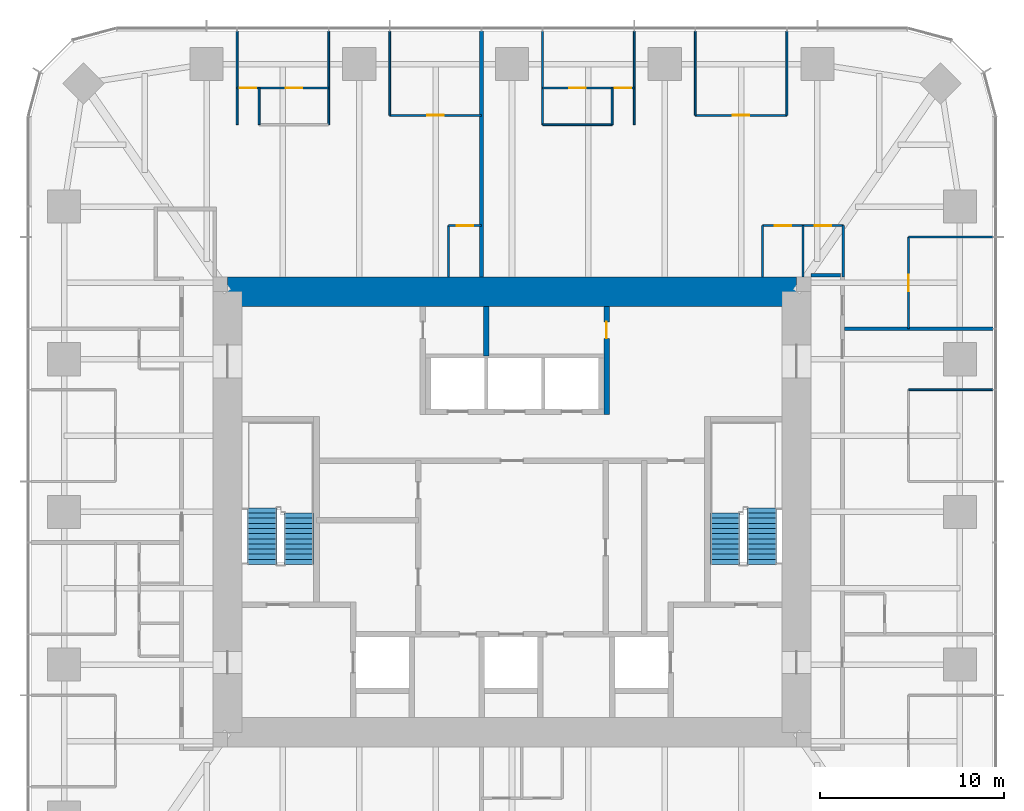
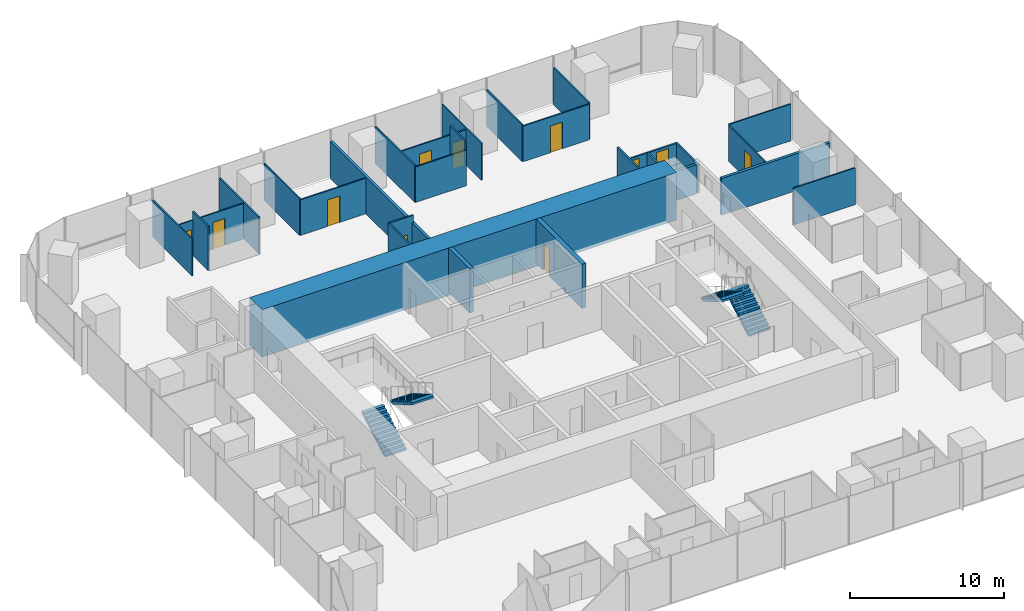
# One storey, part 11 of 12: 29 walls, 11 doors, 4 stair flights, 11 openings, 2 elements without a shape of their own.
"""IFC4 building model written with IfcOpenShell, lengths in metres."""

import ifcopenshell
import ifcopenshell.guid

model = None  # the IFC model being written
_history = None  # IfcOwnerHistory: only IFC2X3 demands one
_inside = {}  # id of a spatial element -> (the spatial element, [elements in it])
_under = {}  # id of a project, library or spatial element -> (it, [spatial elements below it])
_declared = {}  # id of a project -> (the project, [libraries it declares])
_typed = {}  # id of a type object -> (the type object, [elements of that type])
_made_of = {}  # id of a material, layer set ... -> (it, [elements and type objects made of it])


def new_model(schema):
    """Start an empty IFC model of exactly this schema.

    Asked for "IFC4X3", IfcOpenShell would pick the latest addendum, in which some entities
    have other attributes; the version numbers below select the first issue.
    IFC2X3 requires an IfcOwnerHistory on every rooted entity: one is made here for all.
    """
    global model, _history
    if schema == "IFC4X3":
        model = ifcopenshell.file(schema_version=(4, 3, 0, 0))
    else:
        model = ifcopenshell.file(schema=schema)
    _inside.clear()
    _under.clear()
    _declared.clear()
    _typed.clear()
    _made_of.clear()
    _history = None
    if model.schema == "IFC2X3":
        org = make("IfcOrganization", Name="unknown")
        user = make(
            "IfcPersonAndOrganization",
            ThePerson=make("IfcPerson", FamilyName="unknown"),
            TheOrganization=org,
        )
        app = make(
            "IfcApplication",
            ApplicationDeveloper=org,
            Version="unknown",
            ApplicationFullName="unknown",
            ApplicationIdentifier="unknown",
        )
        _history = make(
            "IfcOwnerHistory",
            OwningUser=user,
            OwningApplication=app,
            ChangeAction="ADDED",
            CreationDate=0,
        )
    return model


def make(cls, **values):
    """One entity of the class cls with the attributes given. An attribute that is None is left unset."""
    return model.create_entity(
        cls, **{name: value for name, value in values.items() if value is not None}
    )


def rooted(cls, **values):
    """An entity with a GlobalId (a new one), such as an element, a storey or a relation."""
    return make(cls, GlobalId=ifcopenshell.guid.new(), OwnerHistory=_history, **values)


def si_unit(unit_type, name, prefix=None):
    """IfcSIUnit, for example si_unit("LENGTHUNIT", "METRE", prefix="MILLI")."""
    return make("IfcSIUnit", UnitType=unit_type, Prefix=prefix, Name=name)


def assignment(units):
    """IfcUnitAssignment: the units of a project."""
    return None if units is None else make("IfcUnitAssignment", Units=units)


def point(xyz):
    """IfcCartesianPoint."""
    return None if xyz is None else make("IfcCartesianPoint", Coordinates=xyz)


def direction(xyz):
    """IfcDirection."""
    return None if xyz is None else make("IfcDirection", DirectionRatios=xyz)


def frame(location, z_axis=None, x_axis=None):
    """IfcAxis2Placement3D, a coordinate frame: its origin and axes. An axis left out is left unset."""
    return make(
        "IfcAxis2Placement3D",
        Location=point(location),
        Axis=direction(z_axis),
        RefDirection=direction(x_axis),
    )


def frame_2d(location, x_axis=None):
    """IfcAxis2Placement2D, a coordinate frame in the plane: its origin and x axis."""
    return make(
        "IfcAxis2Placement2D", Location=point(location), RefDirection=direction(x_axis)
    )


def origin():
    """The frame at (0, 0, 0) with its axes left unset."""
    return frame((0.0, 0.0, 0.0))


def place(relative_to, where):
    """IfcLocalPlacement: puts the frame where relative to a parent placement (None: the world)."""
    return make(
        "IfcLocalPlacement", PlacementRelTo=relative_to, RelativePlacement=where
    )


def context(
    kind, dimensions, precision=None, world=None, true_north=None, identifier=None
):
    """IfcGeometricRepresentationContext, for example the 3D "Model" context."""
    return make(
        "IfcGeometricRepresentationContext",
        ContextIdentifier=identifier,
        ContextType=kind,
        CoordinateSpaceDimension=dimensions,
        Precision=precision,
        WorldCoordinateSystem=world,
        TrueNorth=true_north,
    )


def subcontext(parent, identifier, kind, view, scale=None):
    """IfcGeometricRepresentationSubContext, for example "Body" below "Model"."""
    return make(
        "IfcGeometricRepresentationSubContext",
        ContextIdentifier=identifier,
        ContextType=kind,
        ParentContext=parent,
        TargetScale=scale,
        TargetView=view,
    )


def project(units=None, contexts=None):
    """IfcProject with its units and contexts."""
    return rooted(
        "IfcProject",
        Name="project",
        RepresentationContexts=contexts,
        UnitsInContext=assignment(units),
    )


def spatial(cls, under=None, at=None, **own):
    """A site, building, storey or space (cls), placed at a placement, below another one or the project."""
    s = rooted(cls, ObjectPlacement=at, **own)
    if under is not None:
        _under.setdefault(under.id(), (under, []))[1].append(s)
    return s


def polyline(points):
    """IfcPolyline through the points."""
    return make("IfcPolyline", Points=[point(p) for p in points])


def profile(cls, at=None, kind="AREA", **sizes):
    """A parametric profile (cls). Its sizes go by their IFC names, for example OverallWidth=200.0."""
    return make(cls, ProfileType=kind, Position=at, **sizes)


def rectangle(**sizes):
    """IfcRectangleProfileDef."""
    return profile("IfcRectangleProfileDef", **sizes)


def outline(outer, holes=None, kind="AREA"):
    """IfcArbitraryClosedProfileDef: a profile drawn as a closed curve; with holes, ...WithVoids."""
    if holes is None:
        return make("IfcArbitraryClosedProfileDef", ProfileType=kind, OuterCurve=outer)
    return make(
        "IfcArbitraryProfileDefWithVoids",
        ProfileType=kind,
        OuterCurve=outer,
        InnerCurves=holes,
    )


def extrude(swept, where, along, depth):
    """IfcExtrudedAreaSolid: the profile swept, set in the frame where, extruded along a direction by depth."""
    return make(
        "IfcExtrudedAreaSolid",
        SweptArea=swept,
        Position=where,
        ExtrudedDirection=direction(along),
        Depth=depth,
    )


def shape(context_of_items, identifier, shape_type, items):
    """IfcShapeRepresentation: the items that make up one representation, for example the "Body"."""
    return make(
        "IfcShapeRepresentation",
        ContextOfItems=context_of_items,
        RepresentationIdentifier=identifier,
        RepresentationType=shape_type,
        Items=items,
    )


def material(Name=None, Category=None):
    """IfcMaterial."""
    return make("IfcMaterial", Name=Name, Category=Category)


def layer(
    of_material, thickness, ventilated=None, Name=None, Category=None, Priority=None
):
    """IfcMaterialLayer: one layer of a wall or slab, of a material (None: an air gap)."""
    return make(
        "IfcMaterialLayer",
        Material=of_material,
        LayerThickness=thickness,
        IsVentilated=ventilated,
        Name=Name,
        Category=Category,
        Priority=Priority,
    )


def layer_set(layers, Name=None):
    """IfcMaterialLayerSet."""
    return make("IfcMaterialLayerSet", MaterialLayers=layers, LayerSetName=Name)


def made_of(thing, what):
    """Note that an element or type object is made of a material, layer set ...; save() writes the relation."""
    if what is not None:
        _made_of.setdefault(what.id(), (what, []))[1].append(thing)
    return thing


def type_object(cls, material=None, **own):
    """A type object (cls), such as IfcWallType, which elements share."""
    return made_of(rooted(cls, **own), material)


def element(
    cls,
    number,
    at=None,
    inside=None,
    cuts=None,
    type_object=None,
    material=None,
    context=None,
    identifier="Body",
    shape_type=None,
    held_by="IfcProductDefinitionShape",
    body=None,
    shapes=None,
    **own,
):
    """One element of the class cls, such as IfcWall. Its Tag is "e" and its number.

    at: its placement. inside: the storey or other place that contains it. cuts: it is an
    opening in that element (IfcRelVoidsElement). A single representation is given by context,
    identifier, shape_type and body (its items); several are given by shapes. held_by: the class
    of the entity that holds the representations. save() writes the other relations.
    """
    e = rooted(cls, Tag="e%d" % number, ObjectPlacement=at, **own)
    if body is not None:
        shapes = [shape(context, identifier, shape_type, body)]
    if shapes is not None:
        e.Representation = make(held_by, Representations=shapes)
    if inside is not None:
        _inside.setdefault(inside.id(), (inside, []))[1].append(e)
    if cuts is not None:
        rooted(
            "IfcRelVoidsElement", RelatingBuildingElement=cuts, RelatedOpeningElement=e
        )
    if type_object is not None:
        _typed.setdefault(type_object.id(), (type_object, []))[1].append(e)
    return made_of(e, material)


def fill(opening, filler):
    """IfcRelFillsElement: the door or window that sits in an opening."""
    return rooted(
        "IfcRelFillsElement",
        RelatingOpeningElement=opening,
        RelatedBuildingElement=filler,
    )


def aggregate(whole, parts):
    """IfcRelAggregates: a whole, such as a stair, and the parts it consists of."""
    return rooted("IfcRelAggregates", RelatingObject=whole, RelatedObjects=parts)


def save(model, path):
    """Write the relations noted so far, then the file.

    IfcRelAggregates (storeys below a building ...), IfcRelContainedInSpatialStructure (elements
    in a storey), IfcRelDefinesByType, IfcRelAssociatesMaterial and IfcRelDeclares: one each for
    every whole, place, type object, material and project.
    """
    for whole, parts in _under.values():
        aggregate(whole, parts)
    for where, things in _inside.values():
        rooted(
            "IfcRelContainedInSpatialStructure",
            RelatedElements=things,
            RelatingStructure=where,
        )
    for kind, things in _typed.values():
        rooted("IfcRelDefinesByType", RelatedObjects=things, RelatingType=kind)
    for what, things in _made_of.values():
        rooted("IfcRelAssociatesMaterial", RelatedObjects=things, RelatingMaterial=what)
    for by, libraries in _declared.values():
        rooted("IfcRelDeclares", RelatingContext=by, RelatedDefinitions=libraries)
    model.write(path)


model = new_model("IFC4")

# Units and contexts
model_context = context("Model", 3, precision=1e-05, world=origin(), true_north=direction((0.0, 1.0)))
body_context = subcontext(model_context, "Body", "Model", "MODEL_VIEW")
ifc_project = project(units=[si_unit("LENGTHUNIT", "METRE"), si_unit("AREAUNIT", "SQUARE_METRE"), si_unit("VOLUMEUNIT", "CUBIC_METRE"), si_unit("PLANEANGLEUNIT", "RADIAN"), si_unit("MASSUNIT", "GRAM", prefix="KILO")], contexts=[model_context])

# Site, building, storey
site_placement = place(None, origin())
site = spatial("IfcSite", under=ifc_project, at=site_placement, CompositionType="ELEMENT")
building_placement = place(site_placement, origin())
building = spatial("IfcBuilding", under=site, at=building_placement, Name="Khuree Lantern Residences", CompositionType="ELEMENT")
storey_placement = place(building_placement, frame((0.0, 0.0, 218.25)))
storey = spatial("IfcBuildingStorey", under=building, at=storey_placement, Name="L54", CompositionType="ELEMENT", Elevation=218.25)

# Wall, openings, doors
ifc_material_1 = material(Name="Moisture-resistant gypsum board on steel studs", Category="steel")
ifc_layer_1 = layer(ifc_material_1, 0.125)
ifc_layer_set_1 = layer_set([ifc_layer_1], Name="BATHROOM WALL BTW125")
wall_type_1 = type_object("IfcWallType", Name="BATHROOM WALL BTW125", PredefinedType="PARTITIONING", material=ifc_layer_set_1)
wall_1_placement = place(storey_placement, frame((18.050048828125, 15.60009765625, 0.0), z_axis=(0.0, 0.0, 1.0), x_axis=(-1.0, 0.0, 0.0)))
wall_1 = element("IfcWall", 1, at=wall_1_placement, inside=storey, type_object=wall_type_1, Name="L54 BATHROOM WALL 02", PredefinedType="PARTITIONING", context=body_context, shape_type="SweptSolid", body=[
    extrude(rectangle(XDim=4.400146484375, YDim=0.125, at=frame_2d((2.2001953125, 0.0))), origin(), (0.0, 0.0, 1.0), 2.300048828125),
])
opening_1_placement = place(wall_1_placement, frame((0.64990234375, 0.0, 0.0)))
opening_1 = element("IfcOpeningElement", 2, at=opening_1_placement, cuts=wall_1, Name="Opening 54-029", PredefinedType="OPENING", context=body_context, shape_type="SweptSolid", body=[
    extrude(rectangle(XDim=0.89990234375, YDim=2.10009765625, at=frame_2d((0.449951171875, 1.050048828125))), frame((0.0, 0.072509765625, 0.0), z_axis=(0.0, -1.0, 0.0), x_axis=(1.0, 0.0, 0.0)), (0.0, 0.0, 1.0), 0.14501953125),
])
opening_2_placement = place(wall_1_placement, frame((2.85009765625, 0.0, 0.0)))
opening_2 = element("IfcOpeningElement", 3, at=opening_2_placement, cuts=wall_1, Name="Opening 54-030", PredefinedType="OPENING", context=body_context, shape_type="SweptSolid", body=[
    extrude(rectangle(XDim=0.89990234375, YDim=2.10009765625, at=frame_2d((0.449951171875, 1.050048828125))), frame((0.0, 0.072509765625, 0.0), z_axis=(0.0, -1.0, 0.0), x_axis=(1.0, 0.0, 0.0)), (0.0, 0.0, 1.0), 0.14501953125),
])
ifc_material_2 = material(Name="Timber door leaf in hardwood frame", Category="wood")
door_type_1 = type_object("IfcDoorType", Name="BATHROOM DOOR 900X2100", OperationType="SINGLE_SWING_LEFT", PredefinedType="DOOR", material=ifc_material_2)
door_1_placement = place(opening_1_placement, origin())
door_1 = element("IfcDoor", 4, at=door_1_placement, inside=storey, type_object=door_type_1, Name="Bathroom door 54-029", OperationType="SINGLE_SWING_LEFT", OverallHeight=2.10009765625, OverallWidth=0.89990234375, PredefinedType="DOOR", context=body_context, shape_type="SweptSolid", body=[
    extrude(rectangle(XDim=0.89990234375, YDim=2.10009765625, at=frame_2d((0.449951171875, 1.050048828125))), frame((0.0, 0.02490234375, 0.0), z_axis=(0.0, -1.0, 0.0), x_axis=(1.0, 0.0, 0.0)), (0.0, 0.0, 1.0), 0.050048828125),
])
fill(opening_1, door_1)
door_2_placement = place(opening_2_placement, origin())
door_2 = element("IfcDoor", 5, at=door_2_placement, inside=storey, type_object=door_type_1, Name="Bathroom door 54-030", OperationType="SINGLE_SWING_LEFT", OverallHeight=2.10009765625, OverallWidth=0.89990234375, PredefinedType="DOOR", context=body_context, shape_type="SweptSolid", body=[
    extrude(rectangle(XDim=0.89990234375, YDim=2.10009765625, at=frame_2d((0.449951171875, 1.050048828125))), frame((0.0, 0.02490234375, 0.0), z_axis=(0.0, -1.0, 0.0), x_axis=(1.0, 0.0, 0.0)), (0.0, 0.0, 1.0), 0.050048828125),
])
fill(opening_2, door_2)

# Walls
for number, where, z_axis, x_axis, name in (
    (6, (18.050048828125, 12.800048828125, 0.0), (0.0, 0.0, 1.0), (0.0, 1.0, 0.0), "L54 BATHROOM WALL 02"),
    (7, (15.85009765625, 12.800048828125, 0.0), (0.0, 0.0, 1.0), (0.0, 1.0, 0.0), "L54 BATHROOM WALL 02"),
):
    element("IfcWall", number, at=place(storey_placement, frame(where, z_axis=z_axis, x_axis=x_axis)), inside=storey, type_object=wall_type_1, Name=name, PredefinedType="PARTITIONING", context=body_context, shape_type="SweptSolid", body=[
        extrude(rectangle(XDim=2.800048828125, YDim=0.125, at=frame_2d((1.39990234375, 0.0))), origin(), (0.0, 0.0, 1.0), 2.300048828125),
    ])
wall_2_placement = place(storey_placement, frame((13.64990234375, 12.800048828125, 0.0), z_axis=(0.0, 0.0, 1.0), x_axis=(0.0, 1.0, 0.0)))
element("IfcWall", 8, at=wall_2_placement, inside=storey, type_object=wall_type_1, Name="L54 BATHROOM WALL 02", PredefinedType="PARTITIONING", context=body_context, shape_type="SweptSolid", body=[
    extrude(rectangle(XDim=2.800048828125, YDim=0.125, at=frame_2d((1.39990234375, 0.0))), origin(), (0.0, 0.0, 1.0), 3.5),
])

# Wall, opening, door
wall_3_placement = place(storey_placement, frame((-1.6640625, 15.60009765625, 0.0), z_axis=(0.0, 0.0, 1.0), x_axis=(-1.0, 0.0, 0.0)))
wall_3 = element("IfcWall", 9, at=wall_3_placement, inside=storey, type_object=wall_type_1, Name="L54 BATHROOM WALL 03", PredefinedType="PARTITIONING", context=body_context, shape_type="SweptSolid", body=[
    extrude(rectangle(XDim=1.800048828125, YDim=0.125, at=frame_2d((0.89990234375, 0.0))), origin(), (0.0, 0.0, 1.0), 3.5),
])
opening_3_placement = place(wall_3_placement, frame((0.449951171875, 0.0, 0.0)))
opening_3 = element("IfcOpeningElement", 10, at=opening_3_placement, cuts=wall_3, Name="Opening 54-035", PredefinedType="OPENING", context=body_context, shape_type="SweptSolid", body=[
    extrude(rectangle(XDim=0.89990234375, YDim=2.10009765625, at=frame_2d((0.449951171875, 1.050048828125))), frame((0.0, 0.072509765625, 0.0), z_axis=(0.0, -1.0, 0.0), x_axis=(1.0, 0.0, 0.0)), (0.0, 0.0, 1.0), 0.14501953125),
])
door_3_placement = place(opening_3_placement, origin())
door_3 = element("IfcDoor", 11, at=door_3_placement, inside=storey, type_object=door_type_1, Name="Bathroom door 54-035", OperationType="SINGLE_SWING_LEFT", OverallHeight=2.10009765625, OverallWidth=0.89990234375, PredefinedType="DOOR", context=body_context, shape_type="SweptSolid", body=[
    extrude(rectangle(XDim=0.89990234375, YDim=2.10009765625, at=frame_2d((0.449951171875, 1.050048828125))), frame((0.0, 0.02490234375, 0.0), z_axis=(0.0, -1.0, 0.0), x_axis=(1.0, 0.0, 0.0)), (0.0, 0.0, 1.0), 0.050048828125),
])
fill(opening_3, door_3)

# Wall
wall_4_placement = place(storey_placement, frame((-3.464111328125, 12.800048828125, 0.0), z_axis=(0.0, 0.0, 1.0), x_axis=(0.0, 1.0, 0.0)))
element("IfcWall", 12, at=wall_4_placement, inside=storey, type_object=wall_type_1, Name="L54 BATHROOM WALL 03", PredefinedType="PARTITIONING", context=body_context, shape_type="SweptSolid", body=[
    extrude(rectangle(XDim=2.800048828125, YDim=0.125, at=frame_2d((1.39990234375, 0.0))), origin(), (0.0, 0.0, 1.0), 3.5),
])

# Wall, opening, door
ifc_material_3 = material(Name="Dense concrete blockwork", Category="masonry")
ifc_layer_2 = layer(ifc_material_3, 0.300048828125)
ifc_layer_set_2 = layer_set([ifc_layer_2], Name="CORE PARTITION WALL CPW300 EI 120")
wall_type_2 = type_object("IfcWallType", Name="CORE PARTITION WALL CPW300 EI 120", PredefinedType="PARTITIONING", material=ifc_layer_set_2)
wall_5_placement = place(storey_placement, frame((5.14990234375, 5.300048828125, 0.0), z_axis=(0.0, 0.0, 1.0), x_axis=(0.0, 1.0, 0.0)))
wall_5 = element("IfcWall", 13, at=wall_5_placement, inside=storey, type_object=wall_type_2, Name="L54 CORE WALL NE", PredefinedType="PARTITIONING", context=body_context, shape_type="SweptSolid", body=[
    extrude(rectangle(XDim=5.89990234375, YDim=0.300048828125, at=frame_2d((2.949951171875, 0.0))), origin(), (0.0, 0.0, 1.0), 3.5),
])
opening_4_placement = place(wall_5_placement, frame((4.14990234375, 0.0, 0.0)))
opening_4 = element("IfcOpeningElement", 14, at=opening_4_placement, cuts=wall_5, Name="Opening 54-021", PredefinedType="OPENING", context=body_context, shape_type="SweptSolid", body=[
    extrude(rectangle(XDim=0.89990234375, YDim=2.10009765625, at=frame_2d((0.449951171875, 1.050048828125))), frame((0.0, 0.16015625, 0.0), z_axis=(0.0, -1.0, 0.0), x_axis=(1.0, 0.0, 0.0)), (0.0, 0.0, 1.0), 0.320068359375),
])
door_type_2 = type_object("IfcDoorType", Name="DOOR 900X2100", OperationType="SINGLE_SWING_LEFT", PredefinedType="DOOR", material=ifc_material_2)
door_4_placement = place(opening_4_placement, origin())
door_4 = element("IfcDoor", 15, at=door_4_placement, inside=storey, type_object=door_type_2, Name="Bulky waste store door 54-021", OperationType="SINGLE_SWING_LEFT", OverallHeight=2.10009765625, OverallWidth=0.89990234375, PredefinedType="DOOR", context=body_context, shape_type="SweptSolid", body=[
    extrude(rectangle(XDim=0.89990234375, YDim=2.10009765625, at=frame_2d((0.449951171875, 1.050048828125))), frame((0.0, 0.02490234375, 0.0), z_axis=(0.0, -1.0, 0.0), x_axis=(1.0, 0.0, 0.0)), (0.0, 0.0, 1.0), 0.050048828125),
])
fill(opening_4, door_4)

# Walls
wall_6_placement = place(storey_placement, frame((-1.39990234375, 8.5, 0.0), z_axis=(0.0, 0.0, 1.0), x_axis=(0.0, 1.0, 0.0)))
element("IfcWall", 16, at=wall_6_placement, inside=storey, type_object=wall_type_2, Name="L54 CORE WALL NX", PredefinedType="PARTITIONING", context=body_context, shape_type="SweptSolid", body=[
    extrude(rectangle(XDim=2.699951171875, YDim=0.300048828125, at=frame_2d((1.35009765625, 0.0))), origin(), (0.0, 0.0, 1.0), 3.5),
])
ifc_material_4 = material(Name="Gypsum board on steel studs", Category="steel")
ifc_layer_3 = layer(ifc_material_4, 0.199951171875)
ifc_layer_set_3 = layer_set([ifc_layer_3], Name="CORRIDOR WALL CRW200 EI 60")
wall_type_3 = type_object("IfcWallType", Name="CORRIDOR WALL CRW200 EI 60", PredefinedType="PARTITIONING", material=ifc_layer_set_3)
wall_7_placement = place(storey_placement, frame((16.300048828125, 12.89990234375, 0.0), z_axis=(0.0, 0.0, 1.0), x_axis=(1.0, 0.0, 0.0)))
element("IfcWall", 17, at=wall_7_placement, inside=storey, type_object=wall_type_3, Name="L54 EAST CORRIDOR NORTH END WALL", PredefinedType="PARTITIONING", context=body_context, shape_type="SweptSolid", body=[
    extrude(rectangle(XDim=1.599853515625, YDim=0.199951171875, at=frame_2d((0.7998046875, 0.0))), origin(), (0.0, 0.0, 1.0), 2.300048828125),
])
ifc_material_5 = material(Name="Concrete C50/60", Category="concrete")
ifc_layer_4 = layer(ifc_material_5, 1.60009765625)
ifc_layer_set_4 = layer_set([ifc_layer_4], Name="CW1600-C50 CORE WALL C50 1600")
wall_type_4 = type_object("IfcWallType", Name="CW1600-C50 CORE WALL C50 1600", PredefinedType="SHEAR", material=ifc_layer_set_4)
wall_8_placement = place(storey_placement, frame((-15.5, 12.0, -0.25), z_axis=(0.0, 0.0, 1.0), x_axis=(1.0, 0.0, 0.0)))
element("IfcWall", 18, at=wall_8_placement, inside=storey, type_object=wall_type_4, Name="Core wall N", PredefinedType="SHEAR", context=body_context, shape_type="SweptSolid", body=[
    extrude(rectangle(XDim=31.0, YDim=1.60009765625, at=frame_2d((15.5, 0.0))), origin(), (0.0, 0.0, 1.0), 3.75),
])
ifc_layer_5 = layer(ifc_material_4, 0.199951171875)
ifc_layer_set_5 = layer_set([ifc_layer_5], Name="DEMISING WALL DMW200 EI 90")
wall_type_5 = type_object("IfcWallType", Name="DEMISING WALL DMW200 EI 90", PredefinedType="PARTITIONING", material=ifc_layer_set_5)
wall_9_placement = place(storey_placement, frame((18.10009765625, 9.98388671875, 0.0), z_axis=(0.0, 0.0, 1.0), x_axis=(1.0, 0.0, 0.0)))
element("IfcWall", 19, at=wall_9_placement, inside=storey, type_object=wall_type_5, Name="L54 DEMISING WALL 02", PredefinedType="PARTITIONING", context=body_context, shape_type="SweptSolid", body=[
    extrude(rectangle(XDim=8.099853515625, YDim=0.199951171875, at=frame_2d((4.0498046875, 0.0))), origin(), (0.0, 0.0, 1.0), 2.909912109375),
])
wall_10_placement = place(storey_placement, frame((-1.6640625, 12.800048828125, 0.0), z_axis=(0.0, 0.0, 1.0), x_axis=(0.0, 1.0, 0.0)))
element("IfcWall", 20, at=wall_10_placement, inside=storey, type_object=wall_type_5, Name="L54 DEMISING WALL 03", PredefinedType="PARTITIONING", context=body_context, shape_type="SweptSolid", body=[
    extrude(rectangle(XDim=13.39990234375, YDim=0.199951171875, at=frame_2d((6.699951171875, 0.0))), origin(), (0.0, 0.0, 1.0), 2.909912109375),
])
ifc_layer_6 = layer(ifc_material_4, 0.10009765625)
ifc_layer_set_6 = layer_set([ifc_layer_6], Name="PARTITION PT100")
wall_type_6 = type_object("IfcWallType", Name="PARTITION PT100", PredefinedType="PARTITIONING", material=ifc_layer_set_6)
for number, where, z_axis, x_axis, name in (
    (21, (21.60009765625, 6.656005859375, 0.0), (0.0, 0.0, 1.0), (1.0, 0.0, 0.0), "L54 PARTITION 01"),
    (22, (21.60009765625, 14.97607421875, 0.0), (0.0, 0.0, 1.0), (1.0, 0.0, 0.0), "L54 PARTITION 02"),
    (23, (14.97607421875, 21.60009765625, 0.0), (0.0, 0.0, 1.0), (0.0, 1.0, 0.0), "L54 PARTITION 02"),
    (24, (9.98388671875, 21.60009765625, 0.0), (0.0, 0.0, 1.0), (0.0, 1.0, 0.0), "L54 PARTITION 02"),
):
    element("IfcWall", number, at=place(storey_placement, frame(where, z_axis=z_axis, x_axis=x_axis)), inside=storey, type_object=wall_type_6, Name=name, PredefinedType="PARTITIONING", context=body_context, shape_type="SweptSolid", body=[
        extrude(rectangle(XDim=4.599853515625, YDim=0.10009765625, at=frame_2d((2.2998046875, 0.0))), origin(), (0.0, 0.0, 1.0), 2.909912109375),
    ])
for number, where, z_axis, x_axis, name in (
    (25, (6.656005859375, 21.094970703125, 0.0), (0.0, 0.0, 1.0), (0.0, 1.0, 0.0), "L54 PARTITION 02"),
    (26, (1.6640625, 21.094970703125, 0.0), (0.0, 0.0, 1.0), (0.0, 1.0, 0.0), "L54 PARTITION 02"),
):
    element("IfcWall", number, at=place(storey_placement, frame(where, z_axis=z_axis, x_axis=x_axis)), inside=storey, type_object=wall_type_6, Name=name, PredefinedType="PARTITIONING", context=body_context, shape_type="SweptSolid", body=[
        extrude(rectangle(XDim=5.10498046875, YDim=0.10009765625, at=frame_2d((2.552490234375, 0.0))), origin(), (0.0, 0.0, 1.0), 2.909912109375),
    ])
wall_11_placement = place(storey_placement, frame((-6.656005859375, 21.60009765625, 0.0), z_axis=(0.0, 0.0, 1.0), x_axis=(0.0, 1.0, 0.0)))
element("IfcWall", 27, at=wall_11_placement, inside=storey, type_object=wall_type_6, Name="L54 PARTITION 03", PredefinedType="PARTITIONING", context=body_context, shape_type="SweptSolid", body=[
    extrude(rectangle(XDim=4.599853515625, YDim=0.10009765625, at=frame_2d((2.2998046875, 0.0))), origin(), (0.0, 0.0, 1.0), 2.909912109375),
])
for number, where, z_axis, x_axis, name in (
    (28, (-9.98388671875, 21.094970703125, 0.0), (0.0, 0.0, 1.0), (0.0, 1.0, 0.0), "L54 PARTITION 03"),
    (29, (-14.97607421875, 21.094970703125, 0.0), (0.0, 0.0, 1.0), (0.0, 1.0, 0.0), "L54 PARTITION 03"),
):
    element("IfcWall", number, at=place(storey_placement, frame(where, z_axis=z_axis, x_axis=x_axis)), inside=storey, type_object=wall_type_6, Name=name, PredefinedType="PARTITIONING", context=body_context, shape_type="SweptSolid", body=[
        extrude(rectangle(XDim=5.10498046875, YDim=0.10009765625, at=frame_2d((2.552490234375, 0.0))), origin(), (0.0, 0.0, 1.0), 2.909912109375),
    ])

# Wall, opening, door
wall_12_placement = place(storey_placement, frame((21.60009765625, 9.98388671875, 0.0), z_axis=(0.0, 0.0, 1.0), x_axis=(0.0, 1.0, 0.0)))
wall_12 = element("IfcWall", 30, at=wall_12_placement, inside=storey, type_object=wall_type_6, Name="L54 PARTITION 02", PredefinedType="PARTITIONING", context=body_context, shape_type="SweptSolid", body=[
    extrude(rectangle(XDim=4.9921875, YDim=0.10009765625, at=frame_2d((2.49609375, 0.0))), origin(), (0.0, 0.0, 1.0), 2.81005859375),
])
opening_5_placement = place(wall_12_placement, frame((2.0458984375, 0.0, 0.0)))
opening_5 = element("IfcOpeningElement", 31, at=opening_5_placement, cuts=wall_12, Name="Opening 54-025", PredefinedType="OPENING", context=body_context, shape_type="SweptSolid", body=[
    extrude(rectangle(XDim=0.89990234375, YDim=2.10009765625, at=frame_2d((0.449951171875, 1.050048828125))), frame((0.0, 0.06005859375, 0.0), z_axis=(0.0, -1.0, 0.0), x_axis=(1.0, 0.0, 0.0)), (0.0, 0.0, 1.0), 0.1201171875),
])
door_type_3 = type_object("IfcDoorType", Name="BEDROOM DOOR 900X2100", OperationType="SINGLE_SWING_LEFT", PredefinedType="DOOR", material=ifc_material_2)
door_5_placement = place(opening_5_placement, origin())
door_5 = element("IfcDoor", 32, at=door_5_placement, inside=storey, type_object=door_type_3, Name="Bedroom door 54-025", OperationType="SINGLE_SWING_LEFT", OverallHeight=2.10009765625, OverallWidth=0.89990234375, PredefinedType="DOOR", context=body_context, shape_type="SweptSolid", body=[
    extrude(rectangle(XDim=0.89990234375, YDim=2.10009765625, at=frame_2d((0.449951171875, 1.050048828125))), frame((0.0, 0.02490234375, 0.0), z_axis=(0.0, -1.0, 0.0), x_axis=(1.0, 0.0, 0.0)), (0.0, 0.0, 1.0), 0.050048828125),
])
fill(opening_5, door_5)

wall_13_placement = place(storey_placement, frame((14.97607421875, 21.60009765625, 0.0), z_axis=(0.0, 0.0, 1.0), x_axis=(-1.0, 0.0, 0.0)))
wall_13 = element("IfcWall", 33, at=wall_13_placement, inside=storey, type_object=wall_type_6, Name="L54 PARTITION 02", PredefinedType="PARTITIONING", context=body_context, shape_type="SweptSolid", body=[
    extrude(rectangle(XDim=4.9921875, YDim=0.10009765625, at=frame_2d((2.49609375, 0.0))), origin(), (0.0, 0.0, 1.0), 2.81005859375),
])
opening_6_placement = place(wall_13_placement, frame((2.0458984375, 0.0, 0.0)))
opening_6 = element("IfcOpeningElement", 34, at=opening_6_placement, cuts=wall_13, Name="Opening 54-026", PredefinedType="OPENING", context=body_context, shape_type="SweptSolid", body=[
    extrude(rectangle(XDim=0.89990234375, YDim=2.10009765625, at=frame_2d((0.449951171875, 1.050048828125))), frame((0.0, 0.06005859375, 0.0), z_axis=(0.0, -1.0, 0.0), x_axis=(1.0, 0.0, 0.0)), (0.0, 0.0, 1.0), 0.1201171875),
])
door_6_placement = place(opening_6_placement, origin())
door_6 = element("IfcDoor", 35, at=door_6_placement, inside=storey, type_object=door_type_3, Name="Bedroom door 54-026", OperationType="SINGLE_SWING_LEFT", OverallHeight=2.10009765625, OverallWidth=0.89990234375, PredefinedType="DOOR", context=body_context, shape_type="SweptSolid", body=[
    extrude(rectangle(XDim=0.89990234375, YDim=2.10009765625, at=frame_2d((0.449951171875, 1.050048828125))), frame((0.0, 0.02490234375, 0.0), z_axis=(0.0, -1.0, 0.0), x_axis=(1.0, 0.0, 0.0)), (0.0, 0.0, 1.0), 0.050048828125),
])
fill(opening_6, door_6)

# Wall, openings, doors
wall_14_placement = place(storey_placement, frame((6.656005859375, 23.094970703125, 0.0), z_axis=(0.0, 0.0, 1.0), x_axis=(-1.0, 0.0, 0.0)))
wall_14 = element("IfcWall", 36, at=wall_14_placement, inside=storey, type_object=wall_type_6, Name="L54 PARTITION 02", PredefinedType="PARTITIONING", context=body_context, shape_type="SweptSolid", body=[
    extrude(rectangle(XDim=4.991943359375, YDim=0.10009765625, at=frame_2d((2.49609375, 0.0))), origin(), (0.0, 0.0, 1.0), 2.81005859375),
])
opening_7_placement = place(wall_14_placement, frame((0.14990234375, 0.0, 0.0)))
opening_7 = element("IfcOpeningElement", 37, at=opening_7_placement, cuts=wall_14, Name="Opening 54-027", PredefinedType="OPENING", context=body_context, shape_type="SweptSolid", body=[
    extrude(rectangle(XDim=0.89990234375, YDim=2.10009765625, at=frame_2d((0.449951171875, 1.050048828125))), frame((0.0, 0.06005859375, 0.0), z_axis=(0.0, -1.0, 0.0), x_axis=(1.0, 0.0, 0.0)), (0.0, 0.0, 1.0), 0.1201171875),
])
opening_8_placement = place(wall_14_placement, frame((2.64599609375, 0.0, 0.0)))
opening_8 = element("IfcOpeningElement", 38, at=opening_8_placement, cuts=wall_14, Name="Opening 54-028", PredefinedType="OPENING", context=body_context, shape_type="SweptSolid", body=[
    extrude(rectangle(XDim=0.89990234375, YDim=2.10009765625, at=frame_2d((0.449951171875, 1.050048828125))), frame((0.0, 0.06005859375, 0.0), z_axis=(0.0, -1.0, 0.0), x_axis=(1.0, 0.0, 0.0)), (0.0, 0.0, 1.0), 0.1201171875),
])
door_7_placement = place(opening_7_placement, origin())
door_7 = element("IfcDoor", 39, at=door_7_placement, inside=storey, type_object=door_type_3, Name="Bedroom door 54-027", OperationType="SINGLE_SWING_LEFT", OverallHeight=2.10009765625, OverallWidth=0.89990234375, PredefinedType="DOOR", context=body_context, shape_type="SweptSolid", body=[
    extrude(rectangle(XDim=0.89990234375, YDim=2.10009765625, at=frame_2d((0.449951171875, 1.050048828125))), frame((0.0, 0.02490234375, 0.0), z_axis=(0.0, -1.0, 0.0), x_axis=(1.0, 0.0, 0.0)), (0.0, 0.0, 1.0), 0.050048828125),
])
fill(opening_7, door_7)
door_8_placement = place(opening_8_placement, origin())
door_8 = element("IfcDoor", 40, at=door_8_placement, inside=storey, type_object=door_type_2, Name="Wardrobe door 54-028", OperationType="SINGLE_SWING_LEFT", OverallHeight=2.10009765625, OverallWidth=0.89990234375, PredefinedType="DOOR", context=body_context, shape_type="SweptSolid", body=[
    extrude(rectangle(XDim=0.89990234375, YDim=2.10009765625, at=frame_2d((0.449951171875, 1.050048828125))), frame((0.0, 0.02490234375, 0.0), z_axis=(0.0, -1.0, 0.0), x_axis=(1.0, 0.0, 0.0)), (0.0, 0.0, 1.0), 0.050048828125),
])
fill(opening_8, door_8)

# Walls
wall_15_placement = place(storey_placement, frame((5.4560546875, 21.094970703125, 0.0), z_axis=(0.0, 0.0, 1.0), x_axis=(0.0, 1.0, 0.0)))
element("IfcWall", 41, at=wall_15_placement, inside=storey, type_object=wall_type_6, Name="L54 PARTITION 02", PredefinedType="PARTITIONING", context=body_context, shape_type="SweptSolid", body=[
    extrude(rectangle(XDim=2.0, YDim=0.10009765625, at=frame_2d((1.0, 0.0))), origin(), (0.0, 0.0, 1.0), 3.5),
])
wall_16_placement = place(storey_placement, frame((5.4560546875, 21.094970703125, 0.0), z_axis=(0.0, 0.0, 1.0), x_axis=(-1.0, 0.0, 0.0)))
element("IfcWall", 42, at=wall_16_placement, inside=storey, type_object=wall_type_6, Name="L54 PARTITION 02", PredefinedType="PARTITIONING", context=body_context, shape_type="SweptSolid", body=[
    extrude(rectangle(XDim=3.7919921875, YDim=0.10009765625, at=frame_2d((1.89599609375, 0.0))), origin(), (0.0, 0.0, 1.0), 2.81005859375),
])

# Wall, opening, door
wall_17_placement = place(storey_placement, frame((-1.6640625, 21.60009765625, 0.0), z_axis=(0.0, 0.0, 1.0), x_axis=(-1.0, 0.0, 0.0)))
wall_17 = element("IfcWall", 43, at=wall_17_placement, inside=storey, type_object=wall_type_6, Name="L54 PARTITION 03", PredefinedType="PARTITIONING", context=body_context, shape_type="SweptSolid", body=[
    extrude(rectangle(XDim=4.991943359375, YDim=0.10009765625, at=frame_2d((2.49609375, 0.0))), origin(), (0.0, 0.0, 1.0), 2.81005859375),
])
opening_9_placement = place(wall_17_placement, frame((2.0458984375, 0.0, 0.0)))
opening_9 = element("IfcOpeningElement", 44, at=opening_9_placement, cuts=wall_17, Name="Opening 54-032", PredefinedType="OPENING", context=body_context, shape_type="SweptSolid", body=[
    extrude(rectangle(XDim=0.89990234375, YDim=2.10009765625, at=frame_2d((0.449951171875, 1.050048828125))), frame((0.0, 0.06005859375, 0.0), z_axis=(0.0, -1.0, 0.0), x_axis=(1.0, 0.0, 0.0)), (0.0, 0.0, 1.0), 0.1201171875),
])
door_9_placement = place(opening_9_placement, origin())
door_9 = element("IfcDoor", 45, at=door_9_placement, inside=storey, type_object=door_type_3, Name="Bedroom door 54-032", OperationType="SINGLE_SWING_LEFT", OverallHeight=2.10009765625, OverallWidth=0.89990234375, PredefinedType="DOOR", context=body_context, shape_type="SweptSolid", body=[
    extrude(rectangle(XDim=0.89990234375, YDim=2.10009765625, at=frame_2d((0.449951171875, 1.050048828125))), frame((0.0, 0.02490234375, 0.0), z_axis=(0.0, -1.0, 0.0), x_axis=(1.0, 0.0, 0.0)), (0.0, 0.0, 1.0), 0.050048828125),
])
fill(opening_9, door_9)

# Wall, openings, doors
wall_18_placement = place(storey_placement, frame((-9.98388671875, 23.094970703125, 0.0), z_axis=(0.0, 0.0, 1.0), x_axis=(-1.0, 0.0, 0.0)))
wall_18 = element("IfcWall", 46, at=wall_18_placement, inside=storey, type_object=wall_type_6, Name="L54 PARTITION 03", PredefinedType="PARTITIONING", context=body_context, shape_type="SweptSolid", body=[
    extrude(rectangle(XDim=4.9921875, YDim=0.10009765625, at=frame_2d((2.49609375, 0.0))), origin(), (0.0, 0.0, 1.0), 2.81005859375),
])
opening_10_placement = place(wall_18_placement, frame((3.94189453125, 0.0, 0.0)))
opening_10 = element("IfcOpeningElement", 47, at=opening_10_placement, cuts=wall_18, Name="Opening 54-033", PredefinedType="OPENING", context=body_context, shape_type="SweptSolid", body=[
    extrude(rectangle(XDim=0.89990234375, YDim=2.10009765625, at=frame_2d((0.449951171875, 1.050048828125))), frame((0.0, 0.06005859375, 0.0), z_axis=(0.0, -1.0, 0.0), x_axis=(1.0, 0.0, 0.0)), (0.0, 0.0, 1.0), 0.1201171875),
])
opening_11_placement = place(wall_18_placement, frame((1.446044921875, 0.0, 0.0)))
opening_11 = element("IfcOpeningElement", 48, at=opening_11_placement, cuts=wall_18, Name="Opening 54-034", PredefinedType="OPENING", context=body_context, shape_type="SweptSolid", body=[
    extrude(rectangle(XDim=0.89990234375, YDim=2.10009765625, at=frame_2d((0.449951171875, 1.050048828125))), frame((0.0, 0.06005859375, 0.0), z_axis=(0.0, -1.0, 0.0), x_axis=(1.0, 0.0, 0.0)), (0.0, 0.0, 1.0), 0.1201171875),
])
door_10_placement = place(opening_11_placement, origin())
door_10 = element("IfcDoor", 49, at=door_10_placement, inside=storey, type_object=door_type_1, Name="Bathroom door 54-034", OperationType="SINGLE_SWING_LEFT", OverallHeight=2.10009765625, OverallWidth=0.89990234375, PredefinedType="DOOR", context=body_context, shape_type="SweptSolid", body=[
    extrude(rectangle(XDim=0.89990234375, YDim=2.10009765625, at=frame_2d((0.449951171875, 1.050048828125))), frame((0.0, 0.02490234375, 0.0), z_axis=(0.0, -1.0, 0.0), x_axis=(1.0, 0.0, 0.0)), (0.0, 0.0, 1.0), 0.050048828125),
])
fill(opening_11, door_10)
door_11_placement = place(opening_10_placement, origin())
door_11 = element("IfcDoor", 50, at=door_11_placement, inside=storey, type_object=door_type_3, Name="Bedroom door 54-033", OperationType="SINGLE_SWING_LEFT", OverallHeight=2.10009765625, OverallWidth=0.89990234375, PredefinedType="DOOR", context=body_context, shape_type="SweptSolid", body=[
    extrude(rectangle(XDim=0.89990234375, YDim=2.10009765625, at=frame_2d((0.449951171875, 1.050048828125))), frame((0.0, 0.02490234375, 0.0), z_axis=(0.0, -1.0, 0.0), x_axis=(1.0, 0.0, 0.0)), (0.0, 0.0, 1.0), 0.050048828125),
])
fill(opening_10, door_11)

# Wall
wall_19_placement = place(storey_placement, frame((-13.77587890625, 21.094970703125, 0.0), z_axis=(0.0, 0.0, 1.0), x_axis=(0.0, 1.0, 0.0)))
element("IfcWall", 51, at=wall_19_placement, inside=storey, type_object=wall_type_6, Name="L54 PARTITION 03", PredefinedType="PARTITIONING", context=body_context, shape_type="SweptSolid", body=[
    extrude(rectangle(XDim=2.0, YDim=0.10009765625, at=frame_2d((1.0, 0.0))), origin(), (0.0, 0.0, 1.0), 3.5),
])

# Stair, stair flights
ifc_material_6 = material(Name="Concrete C40/50", Category="concrete")
stair_type = type_object("IfcStairType", Name="STAIR ST1 HALF TURN 3600", PredefinedType="HALF_TURN_STAIR", material=ifc_material_6)
stair_1_placement = place(storey_placement, origin())
stair_1 = element("IfcStair", 52, at=stair_1_placement, inside=storey, type_object=stair_type, Name="Stair ST1", PredefinedType="HALF_TURN_STAIR")
stair_flight_type = type_object("IfcStairFlightType", Name="STAIR FLIGHT SF1 1600", PredefinedType="STRAIGHT", material=ifc_material_6)
stair_flight_1_placement = place(storey_placement, frame((-13.60009765625, -2.860107421875, 0.0), z_axis=(0.0, 0.0, 1.0), x_axis=(0.0, 1.0, 0.0)))
stair_flight_1 = element("IfcStairFlight", 53, at=stair_flight_1_placement, type_object=stair_flight_type, Name="ST1 flight 1", NumberOfRisers=12, NumberOfTreads=11, PredefinedType="STRAIGHT", RiserHeight=0.163043478, TreadLength=0.28, context=body_context, shape_type="SweptSolid", body=[
    extrude(outline(polyline([(0.0, 0.0), (0.0, 0.1630859375), (0.280029296875, 0.1630859375), (0.280029296875, 0.326171875), (0.56005859375, 0.326171875), (0.56005859375, 0.489013671875), (0.840087890625, 0.489013671875), (0.840087890625, 0.652099609375), (1.1201171875, 0.652099609375), (1.1201171875, 0.815185546875), (1.39990234375, 0.815185546875), (1.39990234375, 0.978271484375), (1.679931640625, 0.978271484375), (1.679931640625, 1.141357421875), (1.9599609375, 1.141357421875), (1.9599609375, 1.304443359375), (2.239990234375, 1.304443359375), (2.239990234375, 1.46728515625), (2.52001953125, 1.46728515625), (2.52001953125, 1.63037109375), (2.800048828125, 1.63037109375), (2.800048828125, 1.79345703125), (3.080078125, 1.79345703125), (3.080078125, 1.95654296875), (3.080078125, 1.6201171875), (0.2978515625, 0.0), (0.0, 0.0)])), frame((0.0, 0.800048828125, 0.0), z_axis=(0.0, -1.0, 0.0), x_axis=(1.0, 0.0, 0.0)), (0.0, 0.0, 1.0), 1.60009765625),
])
stair_flight_2_placement = place(storey_placement, frame((-11.60009765625, -0.06005859375, 1.95654296875), z_axis=(0.0, 0.0, 1.0), x_axis=(0.0, -1.0, 0.0)))
stair_flight_2 = element("IfcStairFlight", 54, at=stair_flight_2_placement, type_object=stair_flight_type, Name="ST1 flight 2", NumberOfRisers=11, NumberOfTreads=10, PredefinedType="STRAIGHT", RiserHeight=0.163043478, TreadLength=0.28, context=body_context, shape_type="SweptSolid", body=[
    extrude(outline(polyline([(0.0, 0.0), (0.0, 0.1630859375), (0.280029296875, 0.1630859375), (0.280029296875, 0.326171875), (0.56005859375, 0.326171875), (0.56005859375, 0.489013671875), (0.840087890625, 0.489013671875), (0.840087890625, 0.652099609375), (1.1201171875, 0.652099609375), (1.1201171875, 0.815185546875), (1.39990234375, 0.815185546875), (1.39990234375, 0.978271484375), (1.679931640625, 0.978271484375), (1.679931640625, 1.141357421875), (1.9599609375, 1.141357421875), (1.9599609375, 1.304443359375), (2.239990234375, 1.304443359375), (2.239990234375, 1.46728515625), (2.52001953125, 1.46728515625), (2.52001953125, 1.63037109375), (2.800048828125, 1.63037109375), (2.800048828125, 1.79345703125), (2.800048828125, 1.45703125), (0.2978515625, 0.0), (0.0, 0.0)])), frame((0.0, 0.800048828125, 0.0), z_axis=(0.0, -1.0, 0.0), x_axis=(1.0, 0.0, 0.0)), (0.0, 0.0, 1.0), 1.60009765625),
])
aggregate(stair_1, [stair_flight_1, stair_flight_2])

stair_2_placement = place(storey_placement, origin())
stair_2 = element("IfcStair", 55, at=stair_2_placement, inside=storey, type_object=stair_type, Name="Stair ST2", PredefinedType="HALF_TURN_STAIR")
stair_flight_3_placement = place(storey_placement, frame((13.60009765625, -2.860107421875, 0.0), z_axis=(0.0, 0.0, 1.0), x_axis=(0.0, 1.0, 0.0)))
stair_flight_3 = element("IfcStairFlight", 56, at=stair_flight_3_placement, type_object=stair_flight_type, Name="ST2 flight 1", NumberOfRisers=12, NumberOfTreads=11, PredefinedType="STRAIGHT", RiserHeight=0.163043478, TreadLength=0.28, context=body_context, shape_type="SweptSolid", body=[
    extrude(outline(polyline([(0.0, 0.0), (0.0, 0.1630859375), (0.280029296875, 0.1630859375), (0.280029296875, 0.326171875), (0.56005859375, 0.326171875), (0.56005859375, 0.489013671875), (0.840087890625, 0.489013671875), (0.840087890625, 0.652099609375), (1.1201171875, 0.652099609375), (1.1201171875, 0.815185546875), (1.39990234375, 0.815185546875), (1.39990234375, 0.978271484375), (1.679931640625, 0.978271484375), (1.679931640625, 1.141357421875), (1.9599609375, 1.141357421875), (1.9599609375, 1.304443359375), (2.239990234375, 1.304443359375), (2.239990234375, 1.46728515625), (2.52001953125, 1.46728515625), (2.52001953125, 1.63037109375), (2.800048828125, 1.63037109375), (2.800048828125, 1.79345703125), (3.080078125, 1.79345703125), (3.080078125, 1.95654296875), (3.080078125, 1.6201171875), (0.2978515625, 0.0), (0.0, 0.0)])), frame((0.0, 0.800048828125, 0.0), z_axis=(0.0, -1.0, 0.0), x_axis=(1.0, 0.0, 0.0)), (0.0, 0.0, 1.0), 1.60009765625),
])
stair_flight_4_placement = place(storey_placement, frame((11.60009765625, -0.06005859375, 1.95654296875), z_axis=(0.0, 0.0, 1.0), x_axis=(0.0, -1.0, 0.0)))
stair_flight_4 = element("IfcStairFlight", 57, at=stair_flight_4_placement, type_object=stair_flight_type, Name="ST2 flight 2", NumberOfRisers=11, NumberOfTreads=10, PredefinedType="STRAIGHT", RiserHeight=0.163043478, TreadLength=0.28, context=body_context, shape_type="SweptSolid", body=[
    extrude(outline(polyline([(0.0, 0.0), (0.0, 0.1630859375), (0.280029296875, 0.1630859375), (0.280029296875, 0.326171875), (0.56005859375, 0.326171875), (0.56005859375, 0.489013671875), (0.840087890625, 0.489013671875), (0.840087890625, 0.652099609375), (1.1201171875, 0.652099609375), (1.1201171875, 0.815185546875), (1.39990234375, 0.815185546875), (1.39990234375, 0.978271484375), (1.679931640625, 0.978271484375), (1.679931640625, 1.141357421875), (1.9599609375, 1.141357421875), (1.9599609375, 1.304443359375), (2.239990234375, 1.304443359375), (2.239990234375, 1.46728515625), (2.52001953125, 1.46728515625), (2.52001953125, 1.63037109375), (2.800048828125, 1.63037109375), (2.800048828125, 1.79345703125), (2.800048828125, 1.45703125), (0.2978515625, 0.0), (0.0, 0.0)])), frame((0.0, 0.800048828125, 0.0), z_axis=(0.0, -1.0, 0.0), x_axis=(1.0, 0.0, 0.0)), (0.0, 0.0, 1.0), 1.60009765625),
])
aggregate(stair_2, [stair_flight_3, stair_flight_4])

save(model, "model.ifc")
